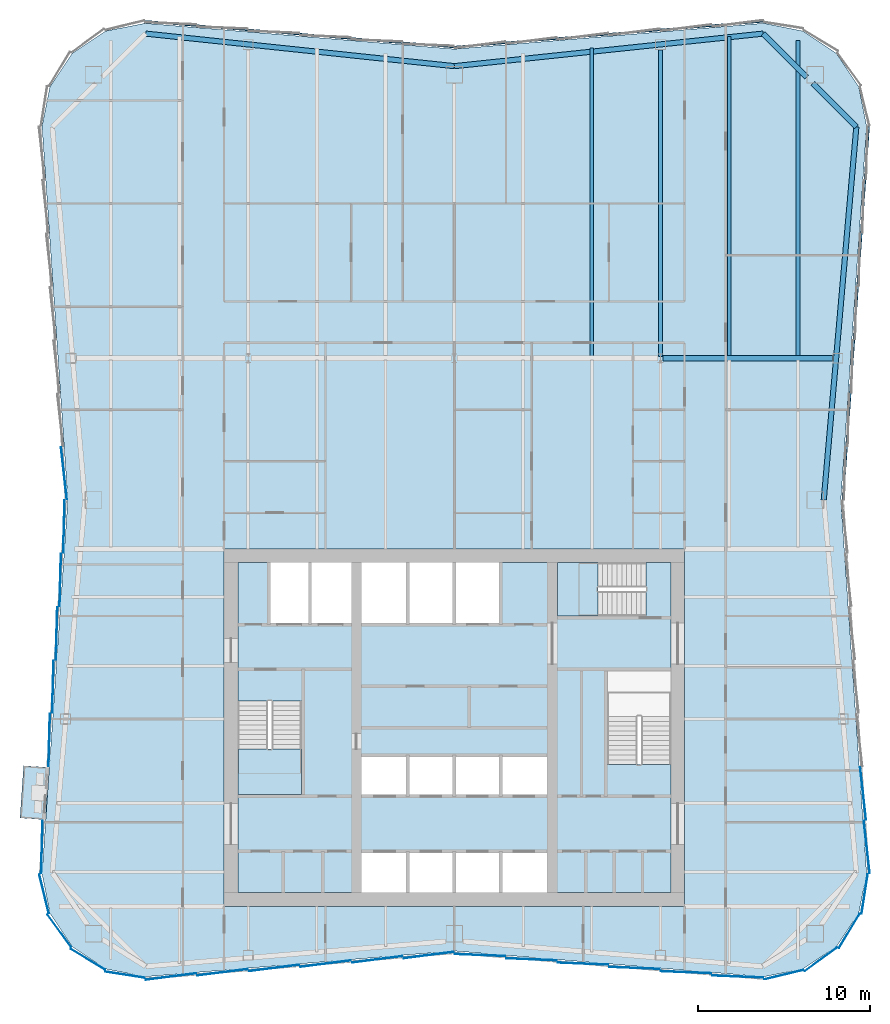
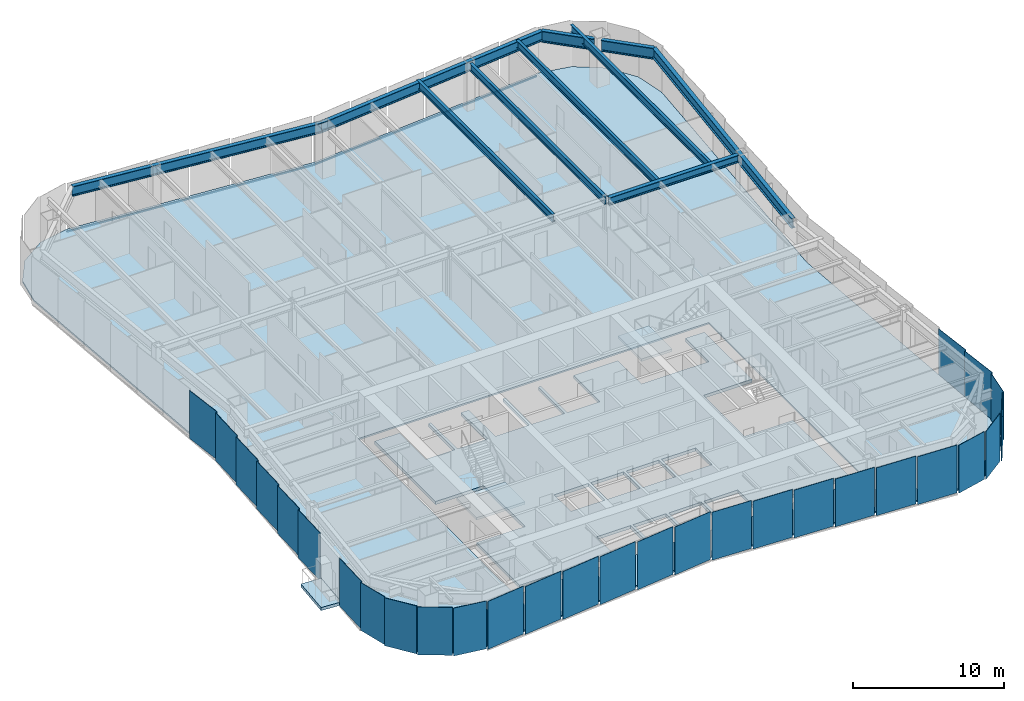
# One storey, part 4 of 12: 29 plates, 10 beams, 5 slabs, 3 members, 8 elements without a shape of their own.
"""IFC4 building model written with IfcOpenShell, lengths in metres."""

from ifc_helpers import new_model, si_unit, direction, frame, origin, origin_2d, place, context, subcontext, project, spatial, polyline, rectangle, i_section, outline, extrude, material, layer, layer_set, material_profile, profile_set, type_object, element, aggregate, save


model = new_model("IFC4")

# Units and contexts
model_context = context("Model", 3, precision=1e-05, world=origin(), true_north=direction((0.0, 1.0)))
body_context = subcontext(model_context, "Body", "Model", "MODEL_VIEW")
ifc_project = project(units=[si_unit("LENGTHUNIT", "METRE"), si_unit("AREAUNIT", "SQUARE_METRE"), si_unit("VOLUMEUNIT", "CUBIC_METRE"), si_unit("PLANEANGLEUNIT", "RADIAN"), si_unit("MASSUNIT", "GRAM", prefix="KILO")], contexts=[model_context])

# Site, building, storey
site_placement = place(None, origin())
site = spatial("IfcSite", under=ifc_project, at=site_placement, CompositionType="ELEMENT")
building_placement = place(site_placement, origin())
building = spatial("IfcBuilding", under=site, at=building_placement, Name="Verdant Reach Tower", CompositionType="ELEMENT")
storey_placement = place(building_placement, frame((0.0, 0.0, 270.0)))
storey = spatial("IfcBuildingStorey", under=building, at=storey_placement, Name="L62", CompositionType="ELEMENT", Elevation=270.0)

# Curtain wall, member
ifc_material_1 = material(Name="Anodised aluminium", Category="aluminium")
curtain_wall_type = type_object("IfcCurtainWallType", Name="EN-CW SYSTEM Z4", PredefinedType="NOTDEFINED", material=ifc_material_1)
curtain_wall_1_placement = place(storey_placement, origin())
curtain_wall_1 = element("IfcCurtainWall", 1, at=curtain_wall_1_placement, inside=storey, type_object=curtain_wall_type, Name="Curtain wall east, L62", PredefinedType="NOTDEFINED")
ifc_material_profile_1 = material_profile(ifc_material_1, rectangle(XDim=0.10009765625, YDim=0.1279296875, at=origin_2d()), Name="Transom 128x100")
ifc_profile_set_1 = profile_set([ifc_material_profile_1], Name="Anodised aluminium")
member_type = type_object("IfcMemberType", Name="EN-TRANSOM Z4", PredefinedType="USERDEFINED", material=ifc_profile_set_1)
member_1_placement = place(storey_placement, frame((22.6142578125, 41.283935546875, -0.285888671875), z_axis=(0.068770489035, 0.997632507408, 0.0), x_axis=(-0.997632507408, 0.068770489035, 0.0)))
member_1 = element("IfcMember", 2, at=member_1_placement, type_object=member_type, Name="Transom east face part 2 1.1, L62", ObjectType="TRANSOM", PredefinedType="USERDEFINED", context=body_context, shape_type="SweptSolid", body=[
    extrude(rectangle(XDim=0.10009765625, YDim=0.1279296875, at=origin_2d()), origin(), (0.0, 0.0, 1.0), 21.74072265625),
])

# Curtain wall, members
curtain_wall_2_placement = place(storey_placement, origin())
curtain_wall_2 = element("IfcCurtainWall", 3, at=curtain_wall_2_placement, inside=storey, type_object=curtain_wall_type, Name="Curtain wall north, L62", PredefinedType="NOTDEFINED")
member_2_placement = place(storey_placement, frame((17.972412109375, 69.10888671875, -0.285888671875), z_axis=(-0.996549124771, -0.083005071637, 0.0), x_axis=(0.083005071637, -0.996549124771, 0.0)))
member_2 = element("IfcMember", 4, at=member_2_placement, type_object=member_type, Name="Transom north face part 1 1.1, L62", ObjectType="TRANSOM", PredefinedType="USERDEFINED", context=body_context, shape_type="SweptSolid", body=[
    extrude(rectangle(XDim=0.10009765625, YDim=0.1279296875, at=origin_2d()), origin(), (0.0, 0.0, 1.0), 18.00048828125),
])
member_3_placement = place(storey_placement, frame((-0.033935546875, 67.61474609375, -0.285888671875), z_axis=(-0.996549124771, 0.083005071637, 0.0), x_axis=(-0.083005071637, -0.996549124771, 0.0)))
member_3 = element("IfcMember", 5, at=member_3_placement, type_object=member_type, Name="Transom north face part 2 1.1, L62", ObjectType="TRANSOM", PredefinedType="USERDEFINED", context=body_context, shape_type="SweptSolid", body=[
    extrude(rectangle(XDim=0.10009765625, YDim=0.1279296875, at=origin_2d()), origin(), (0.0, 0.0, 1.0), 18.00048828125),
])
aggregate(curtain_wall_2, [member_2, member_3])

# Beams
ifc_material_2 = material(Name="Steel S355", Category="steel")
ifc_material_profile_2 = material_profile(ifc_material_2, i_section(OverallWidth=0.300048828125, OverallDepth=0.60009765625, WebThickness=0.015380859375, FlangeThickness=0.030029296875, FilletRadius=0.027099609375, at=origin_2d()), Name="HEB 600")
ifc_profile_set_2 = profile_set([ifc_material_profile_2], Name="Steel S355")
beam_type_1 = type_object("IfcBeamType", Name="ST-BEAM-HEB600", PredefinedType="BEAM", material=ifc_profile_set_2)
beam_1_placement = place(storey_placement, frame((12.153076171875, 49.5, 3.570068359375), z_axis=(1.0, 0.0, 0.0), x_axis=(0.0, 1.0, 0.0)))
element("IfcBeam", 6, at=beam_1_placement, inside=storey, type_object=beam_type_1, Name="Row girder, L62", PredefinedType="BEAM", context=body_context, shape_type="SweptSolid", body=[
    extrude(i_section(OverallWidth=0.300048828125, OverallDepth=0.60009765625, WebThickness=0.015380859375, FlangeThickness=0.030029296875, FilletRadius=0.027099609375, at=origin_2d()), origin(), (0.0, 0.0, 1.0), 9.865966796875),
])
ifc_material_profile_3 = material_profile(ifc_material_2, i_section(OverallWidth=0.219970703125, OverallDepth=0.60009765625, WebThickness=0.011962890625, FlangeThickness=0.01904296875, FilletRadius=0.02392578125, at=origin_2d()), Name="IPE 600")
ifc_profile_set_3 = profile_set([ifc_material_profile_3], Name="Steel S355")
beam_type_2 = type_object("IfcBeamType", Name="ST-JOIST-IPE600", PredefinedType="JOIST", material=ifc_profile_set_3)
beam_2_placement = place(storey_placement, frame((8.0, 49.60009765625, 3.570068359375), z_axis=(0.0, 1.0, 0.0), x_axis=(-1.0, 0.0, 0.0)))
element("IfcBeam", 7, at=beam_2_placement, inside=storey, type_object=beam_type_2, Name="Floor joist, L62", PredefinedType="JOIST", context=body_context, shape_type="SweptSolid", body=[
    extrude(i_section(OverallWidth=0.219970703125, OverallDepth=0.60009765625, WebThickness=0.011962890625, FlangeThickness=0.01904296875, FilletRadius=0.02392578125, at=origin_2d()), origin(), (0.0, 0.0, 1.0), 17.964599609375),
])
beam_3_placement = place(storey_placement, frame((12.0, 49.60009765625, 3.570068359375), z_axis=(0.0, 1.0, 0.0), x_axis=(-1.0, 0.0, 0.0)))
element("IfcBeam", 8, at=beam_3_placement, inside=storey, type_object=beam_type_2, Name="Floor joist, L62", PredefinedType="JOIST", context=body_context, shape_type="SweptSolid", body=[
    extrude(i_section(OverallWidth=0.219970703125, OverallDepth=0.60009765625, WebThickness=0.011962890625, FlangeThickness=0.01904296875, FilletRadius=0.02392578125, at=origin_2d()), origin(), (0.0, 0.0, 1.0), 17.849853515625),
])
beam_4_placement = place(storey_placement, frame((16.0, 49.60009765625, 3.570068359375), z_axis=(0.0, 1.0, 0.0), x_axis=(-1.0, 0.0, 0.0)))
element("IfcBeam", 9, at=beam_4_placement, inside=storey, type_object=beam_type_2, Name="Floor joist, L62", PredefinedType="JOIST", context=body_context, shape_type="SweptSolid", body=[
    extrude(i_section(OverallWidth=0.219970703125, OverallDepth=0.60009765625, WebThickness=0.011962890625, FlangeThickness=0.01904296875, FilletRadius=0.02392578125, at=origin_2d()), origin(), (0.0, 0.0, 1.0), 18.631103515625),
])
beam_5_placement = place(storey_placement, frame((20.0, 49.60009765625, 3.570068359375), z_axis=(0.0, 1.0, 0.0), x_axis=(-1.0, 0.0, 0.0)))
element("IfcBeam", 10, at=beam_5_placement, inside=storey, type_object=beam_type_2, Name="Floor joist, L62", PredefinedType="JOIST", context=body_context, shape_type="SweptSolid", body=[
    extrude(i_section(OverallWidth=0.219970703125, OverallDepth=0.60009765625, WebThickness=0.011962890625, FlangeThickness=0.01904296875, FilletRadius=0.02392578125, at=origin_2d()), origin(), (0.0, 0.0, 1.0), 18.390380859375),
])
ifc_material_profile_4 = material_profile(ifc_material_2, i_section(OverallWidth=0.300048828125, OverallDepth=0.800048828125, WebThickness=0.017578125, FlangeThickness=0.032958984375, FilletRadius=0.030029296875, at=origin_2d()), Name="HEB 800")
ifc_profile_set_4 = profile_set([ifc_material_profile_4], Name="Steel S355")
beam_type_3 = type_object("IfcBeamType", Name="ST-SPANDREL-HEB800", PredefinedType="SPANDREL", material=ifc_profile_set_4)
for number, where, z_axis, x_axis, name in (
    (11, (-17.9658203125, 68.39501953125, 3.469970703125), (0.994483067002, -0.104897232783, 0.0), (0.104897232783, 0.994483067002, 0.0), "Edge beam, L62"),
    (12, (0.0, 66.5, 3.469970703125), (0.994483067002, 0.104897232783, 0.0), (-0.104897232783, 0.994483067002, 0.0), "Edge beam, L62"),
):
    element("IfcBeam", number, at=place(storey_placement, frame(where, z_axis=z_axis, x_axis=x_axis)), inside=storey, type_object=beam_type_3, Name=name, PredefinedType="SPANDREL", context=body_context, shape_type="SweptSolid", body=[
        extrude(i_section(OverallWidth=0.300048828125, OverallDepth=0.800048828125, WebThickness=0.017578125, FlangeThickness=0.032958984375, FilletRadius=0.030029296875, at=origin_2d()), origin(), (0.0, 0.0, 1.0), 18.0654296875),
    ])
beam_6_placement = place(storey_placement, frame((23.39599609375, 62.96142578125, 3.469970703125), z_axis=(-0.086996024331, -0.996208658741, 0.0), x_axis=(0.996208658741, -0.086996024331, 0.0)))
element("IfcBeam", 13, at=beam_6_placement, inside=storey, type_object=beam_type_3, Name="Edge beam, L62", PredefinedType="SPANDREL", context=body_context, shape_type="SweptSolid", body=[
    extrude(i_section(OverallWidth=0.300048828125, OverallDepth=0.800048828125, WebThickness=0.017578125, FlangeThickness=0.032958984375, FilletRadius=0.030029296875, at=origin_2d()), origin(), (0.0, 0.0, 1.0), 21.7939453125),
])
ifc_material_profile_5 = material_profile(ifc_material_2, i_section(OverallWidth=0.302001953125, OverallDepth=0.909912109375, WebThickness=0.02099609375, FlangeThickness=0.0400390625, FilletRadius=0.030029296875, at=origin_2d()), Name="HEM 900")
ifc_profile_set_5 = profile_set([ifc_material_profile_5], Name="Steel S355")
beam_type_4 = type_object("IfcBeamType", Name="ST-SPANDREL-HEM900", PredefinedType="SPANDREL", material=ifc_profile_set_5)
beam_7_placement = place(storey_placement, frame((17.9658203125, 68.39501953125, 3.4150390625), z_axis=(0.706868394255, -0.707345087777, 0.0), x_axis=(0.707345087777, 0.706868394255, 0.0)))
element("IfcBeam", 14, at=beam_7_placement, inside=storey, type_object=beam_type_4, Name="Edge beam, L62", PredefinedType="SPANDREL", context=body_context, shape_type="SweptSolid", body=[
    extrude(i_section(OverallWidth=0.302001953125, OverallDepth=0.909912109375, WebThickness=0.02099609375, FlangeThickness=0.0400390625, FilletRadius=0.030029296875, at=origin_2d()), origin(), (0.0, 0.0, 1.0), 3.5849609375),
])
beam_8_placement = place(storey_placement, frame((20.85888671875, 65.5, 3.4150390625), z_axis=(0.706902680526, -0.707310822952, 0.0), x_axis=(0.707310822952, 0.706902680526, 0.0)))
element("IfcBeam", 15, at=beam_8_placement, inside=storey, type_object=beam_type_4, Name="Edge beam, L62", PredefinedType="SPANDREL", context=body_context, shape_type="SweptSolid", body=[
    extrude(i_section(OverallWidth=0.302001953125, OverallDepth=0.909912109375, WebThickness=0.02099609375, FlangeThickness=0.0400390625, FilletRadius=0.030029296875, at=origin_2d()), origin(), (0.0, 0.0, 1.0), 3.589111328125),
])

# Stair, slab
ifc_material_3 = material(Name="Concrete C40/50", Category="concrete")
stair_type = type_object("IfcStairType", Name="CO-STAIR", PredefinedType="HALF_TURN_STAIR", material=ifc_material_3)
stair_1_placement = place(storey_placement, origin())
stair_1 = element("IfcStair", 16, at=stair_1_placement, inside=storey, type_object=stair_type, Name="L62 Exit stair 1", PredefinedType="HALF_TURN_STAIR")
ifc_layer_1 = layer(ifc_material_3, 0.199951171875)
ifc_layer_set_1 = layer_set([ifc_layer_1], Name="CO-STAIR-LANDING")
slab_type_1 = type_object("IfcSlabType", Name="CO-STAIR-LANDING", PredefinedType="LANDING", material=ifc_layer_set_1)
slab_1_placement = place(storey_placement, frame((0.0, 0.0, 1.800048828125)))
slab_1 = element("IfcSlab", 17, at=slab_1_placement, type_object=slab_type_1, Name="ST-1 landing 1", PredefinedType="LANDING", context=body_context, shape_type="SweptSolid", body=[
    extrude(outline(polyline([(-12.60009765625, 26.75), (-12.60009765625, 24.10009765625), (-8.89990234375, 24.10009765625), (-8.89990234375, 26.75), (-12.60009765625, 26.75)])), origin(), (0.0, 0.0, 1.0), 0.199951171875),
])
aggregate(stair_1, [slab_1])

stair_2_placement = place(storey_placement, origin())
stair_2 = element("IfcStair", 18, at=stair_2_placement, inside=storey, type_object=stair_type, Name="L62 Exit stair 3", PredefinedType="HALF_TURN_STAIR")
slab_2_placement = place(storey_placement, frame((0.0, 0.0, 1.800048828125)))
slab_2 = element("IfcSlab", 19, at=slab_2_placement, type_object=slab_type_1, Name="ST-3 landing 1", PredefinedType="LANDING", context=body_context, shape_type="SweptSolid", body=[
    extrude(outline(polyline([(8.35009765625, 37.60009765625), (6.0, 37.60009765625), (6.0, 34.5), (8.35009765625, 34.5), (8.35009765625, 37.60009765625)])), origin(), (0.0, 0.0, 1.0), 0.199951171875),
])
aggregate(stair_2, [slab_2])

# Slab
ifc_material_4 = material(Name="Concrete C35/45", Category="concrete")
ifc_layer_2 = layer(ifc_material_4, 0.25)
ifc_layer_set_2 = layer_set([ifc_layer_2], Name="EN-BALCONY SLAB")
slab_type_2 = type_object("IfcSlabType", Name="EN-BALCONY SLAB", PredefinedType="FLOOR", material=ifc_layer_set_2)
slab_3_placement = place(storey_placement, frame((0.0, 0.0, -0.25)))
element("IfcSlab", 20, at=slab_3_placement, inside=storey, type_object=slab_type_2, Name="Balcony slab 1, L62", PredefinedType="FLOOR", context=body_context, shape_type="SweptSolid", body=[
    extrude(outline(polyline([(-23.57373046875, 25.680419921875), (-23.783447265625, 22.64111328125), (-25.27978515625, 22.744384765625), (-25.0703125, 25.78369140625), (-23.57373046875, 25.680419921875)])), origin(), (0.0, 0.0, 1.0), 0.25),
])

# Curtain wall, plates
curtain_wall_3_placement = place(storey_placement, origin())
curtain_wall_3 = element("IfcCurtainWall", 21, at=curtain_wall_3_placement, inside=storey, type_object=curtain_wall_type, Name="Curtain wall south-east corner, L62", PredefinedType="NOTDEFINED")
ifc_material_5 = material(Name="Tinted glass with champagne spandrel", Category="glass")
ifc_layer_3 = layer(ifc_material_5, 0.031982421875)
ifc_layer_set_3 = layer_set([ifc_layer_3], Name="EN-PANEL CHAMPAGNE")
plate_type_1 = type_object("IfcPlateType", Name="EN-PANEL CHAMPAGNE", PredefinedType="CURTAIN_PANEL", material=ifc_layer_set_3)
plate_1_placement = place(storey_placement, frame((22.984375, 16.169677734375, -0.221923828125), z_axis=(0.0, 0.0, 1.0), x_axis=(0.520291539577, 0.853988708265, 0.0)))
plate_1 = element("IfcPlate", 22, at=plate_1_placement, type_object=plate_type_1, Name="Glass panel south-east corner 3.1, L62", PredefinedType="CURTAIN_PANEL", context=body_context, shape_type="SweptSolid", body=[
    extrude(rectangle(XDim=2.32080078125, YDim=0.031982421875, at=origin_2d()), origin(), (0.0, 0.0, 1.0), 3.8720703125),
])
plate_2_placement = place(storey_placement, frame((23.87939453125, 18.326904296875, -0.221923828125), z_axis=(0.0, 0.0, 1.0), x_axis=(0.154324690427, 0.988020187003, 0.0)))
plate_2 = element("IfcPlate", 23, at=plate_2_placement, type_object=plate_type_1, Name="Glass panel south-east corner 4.1, L62", PredefinedType="CURTAIN_PANEL", context=body_context, shape_type="SweptSolid", body=[
    extrude(rectangle(XDim=2.313720703125, YDim=0.031982421875, at=origin_2d()), origin(), (0.0, 0.0, 1.0), 3.8720703125),
])

# Plate
plate_3_placement = place(storey_placement, frame((23.790283203125, 24.16845703125, -0.221923828125), z_axis=(0.0, 0.0, 1.0), x_axis=(-0.110518162674, 0.993874104562, 0.0)))
plate_3 = element("IfcPlate", 24, at=plate_3_placement, type_object=plate_type_1, Name="Glass panel east face part 1 2.1, L62", PredefinedType="CURTAIN_PANEL", context=body_context, shape_type="SweptSolid", body=[
    extrude(rectangle(XDim=3.050537109375, YDim=0.031982421875, at=origin_2d()), origin(), (0.0, 0.0, 1.0), 3.8720703125),
])

# Curtain wall, plates
curtain_wall_4_placement = place(storey_placement, origin())
curtain_wall_4 = element("IfcCurtainWall", 25, at=curtain_wall_4_placement, inside=storey, type_object=curtain_wall_type, Name="Curtain wall west, L62", PredefinedType="NOTDEFINED")
plate_4_placement = place(storey_placement, frame((-22.718994140625, 42.7998046875, -0.221923828125), z_axis=(0.0, 0.0, 1.0), x_axis=(0.110603065042, -0.993864659802, 0.0)))
plate_4 = element("IfcPlate", 26, at=plate_4_placement, type_object=plate_type_1, Name="Glass panel west face part 1 7.1, L62", PredefinedType="CURTAIN_PANEL", context=body_context, shape_type="SweptSolid", body=[
    extrude(rectangle(XDim=3.042724609375, YDim=0.031982421875, at=origin_2d()), origin(), (0.0, 0.0, 1.0), 3.8720703125),
])
plate_5_placement = place(storey_placement, frame((-22.718994140625, 39.7001953125, -0.221923828125), z_axis=(0.0, 0.0, 1.0), x_axis=(-0.027050713229, -0.999634062502, 0.0)))
plate_5 = element("IfcPlate", 27, at=plate_5_placement, type_object=plate_type_1, Name="Glass panel west face part 2 1.1, L62", PredefinedType="CURTAIN_PANEL", context=body_context, shape_type="SweptSolid", body=[
    extrude(rectangle(XDim=3.042724609375, YDim=0.031982421875, at=origin_2d()), origin(), (0.0, 0.0, 1.0), 3.8720703125),
])
plate_6_placement = place(storey_placement, frame((-24.004638671875, 21.053955078125, -0.221923828125), z_axis=(0.0, 0.0, 1.0), x_axis=(-0.026651253217, -0.999644792265, 0.0)))
plate_6 = element("IfcPlate", 28, at=plate_6_placement, type_object=plate_type_1, Name="Glass panel west face part 2 7.1, L62", PredefinedType="CURTAIN_PANEL", context=body_context, shape_type="SweptSolid", body=[
    extrude(rectangle(XDim=3.0654296875, YDim=0.031982421875, at=origin_2d()), origin(), (0.0, 0.0, 1.0), 3.8720703125),
])

curtain_wall_5_placement = place(storey_placement, origin())
curtain_wall_5 = element("IfcCurtainWall", 29, at=curtain_wall_5_placement, inside=storey, type_object=curtain_wall_type, Name="Curtain wall south, L62", PredefinedType="NOTDEFINED")
plate_7_placement = place(storey_placement, frame((-10.49072265625, 14.013427734375, -0.221923828125), z_axis=(0.0, 0.0, 1.0), x_axis=(0.992194034542, 0.124703639961, 0.0)))
plate_7 = element("IfcPlate", 30, at=plate_7_placement, type_object=plate_type_1, Name="Glass panel south face part 1 3.1, L62", PredefinedType="CURTAIN_PANEL", context=body_context, shape_type="SweptSolid", body=[
    extrude(rectangle(XDim=2.9462890625, YDim=0.031982421875, at=origin_2d()), origin(), (0.0, 0.0, 1.0), 3.8720703125),
])
plate_8_placement = place(storey_placement, frame((-7.49072265625, 14.263427734375, -0.221923828125), z_axis=(0.0, 0.0, 1.0), x_axis=(0.992194034542, 0.124703639961, 0.0)))
plate_8 = element("IfcPlate", 31, at=plate_8_placement, type_object=plate_type_1, Name="Glass panel south face part 1 4.1, L62", PredefinedType="CURTAIN_PANEL", context=body_context, shape_type="SweptSolid", body=[
    extrude(rectangle(XDim=2.9462890625, YDim=0.031982421875, at=origin_2d()), origin(), (0.0, 0.0, 1.0), 3.8720703125),
])
plate_9_placement = place(storey_placement, frame((-4.49072265625, 14.513427734375, -0.221923828125), z_axis=(0.0, 0.0, 1.0), x_axis=(0.992194034542, 0.124703639961, 0.0)))
plate_9 = element("IfcPlate", 32, at=plate_9_placement, type_object=plate_type_1, Name="Glass panel south face part 1 5.1, L62", PredefinedType="CURTAIN_PANEL", context=body_context, shape_type="SweptSolid", body=[
    extrude(rectangle(XDim=2.9462890625, YDim=0.031982421875, at=origin_2d()), origin(), (0.0, 0.0, 1.0), 3.8720703125),
])
plate_10_placement = place(storey_placement, frame((13.49072265625, 13.763427734375, -0.221923828125), z_axis=(0.0, 0.0, 1.0), x_axis=(0.999149202059, -0.041241629766, 0.0)))
plate_10 = element("IfcPlate", 33, at=plate_10_placement, type_object=plate_type_1, Name="Glass panel south face part 2 5.1, L62", PredefinedType="CURTAIN_PANEL", context=body_context, shape_type="SweptSolid", body=[
    extrude(rectangle(XDim=2.9462890625, YDim=0.031982421875, at=origin_2d()), origin(), (0.0, 0.0, 1.0), 3.8720703125),
])
plate_11_placement = place(storey_placement, frame((16.49853515625, 13.51318359375, -0.221923828125), z_axis=(0.0, 0.0, 1.0), x_axis=(0.999164016711, -0.040881141246, 0.0)))
plate_11 = element("IfcPlate", 34, at=plate_11_placement, type_object=plate_type_1, Name="Glass panel south face part 2 6.1, L62", PredefinedType="CURTAIN_PANEL", context=body_context, shape_type="SweptSolid", body=[
    extrude(rectangle(XDim=2.9619140625, YDim=0.031982421875, at=origin_2d()), origin(), (0.0, 0.0, 1.0), 3.8720703125),
])

# Plate
ifc_material_6 = material(Name="Tinted glass with copper spandrel", Category="glass")
ifc_layer_4 = layer(ifc_material_6, 0.031982421875)
ifc_layer_set_4 = layer_set([ifc_layer_4], Name="EN-PANEL COPPER")
plate_type_2 = type_object("IfcPlateType", Name="EN-PANEL COPPER", PredefinedType="CURTAIN_PANEL", material=ifc_layer_set_4)
plate_12_placement = place(storey_placement, frame((-22.93310546875, 36.596923828125, -0.221923828125), z_axis=(0.0, 0.0, 1.0), x_axis=(-0.026965318308, -0.999636369691, 0.0)))
plate_12 = element("IfcPlate", 35, at=plate_12_placement, type_object=plate_type_2, Name="Glass panel west face part 2 2.1, L62", PredefinedType="CURTAIN_PANEL", context=body_context, shape_type="SweptSolid", body=[
    extrude(rectangle(XDim=3.050537109375, YDim=0.031982421875, at=origin_2d()), origin(), (0.0, 0.0, 1.0), 3.8720703125),
])

plate_13_placement = place(storey_placement, frame((-23.1474609375, 33.48974609375, -0.221923828125), z_axis=(0.0, 0.0, 1.0), x_axis=(-0.026965318308, -0.999636369691, 0.0)))
plate_13 = element("IfcPlate", 36, at=plate_13_placement, type_object=plate_type_2, Name="Glass panel west face part 2 3.1, L62", PredefinedType="CURTAIN_PANEL", context=body_context, shape_type="SweptSolid", body=[
    extrude(rectangle(XDim=3.050537109375, YDim=0.031982421875, at=origin_2d()), origin(), (0.0, 0.0, 1.0), 3.8720703125),
])

plate_14_placement = place(storey_placement, frame((-23.36181640625, 30.3828125, -0.221923828125), z_axis=(0.0, 0.0, 1.0), x_axis=(-0.026965318308, -0.999636369691, 0.0)))
plate_14 = element("IfcPlate", 37, at=plate_14_placement, type_object=plate_type_2, Name="Glass panel west face part 2 4.1, L62", PredefinedType="CURTAIN_PANEL", context=body_context, shape_type="SweptSolid", body=[
    extrude(rectangle(XDim=3.050537109375, YDim=0.031982421875, at=origin_2d()), origin(), (0.0, 0.0, 1.0), 3.8720703125),
])

# Curtain wall, plates
curtain_wall_6_placement = place(storey_placement, origin())
curtain_wall_6 = element("IfcCurtainWall", 38, at=curtain_wall_6_placement, inside=storey, type_object=curtain_wall_type, Name="Curtain wall south-west corner, L62", PredefinedType="NOTDEFINED")
plate_15_placement = place(storey_placement, frame((-23.87939453125, 18.326904296875, -0.221923828125), z_axis=(0.0, 0.0, 1.0), x_axis=(0.236458850433, -0.971641503875, 0.0)))
plate_15 = element("IfcPlate", 39, at=plate_15_placement, type_object=plate_type_2, Name="Glass panel south-west corner 1.1, L62", PredefinedType="CURTAIN_PANEL", context=body_context, shape_type="SweptSolid", body=[
    extrude(rectangle(XDim=2.313720703125, YDim=0.031982421875, at=origin_2d()), origin(), (0.0, 0.0, 1.0), 3.8720703125),
])
plate_16_placement = place(storey_placement, frame((-22.984375, 16.169677734375, -0.221923828125), z_axis=(0.0, 0.0, 1.0), x_axis=(0.589926737254, -0.80745677573, 0.0)))
plate_16 = element("IfcPlate", 40, at=plate_16_placement, type_object=plate_type_2, Name="Glass panel south-west corner 2.1, L62", PredefinedType="CURTAIN_PANEL", context=body_context, shape_type="SweptSolid", body=[
    extrude(rectangle(XDim=2.32080078125, YDim=0.031982421875, at=origin_2d()), origin(), (0.0, 0.0, 1.0), 3.8720703125),
])

# Plate
plate_17_placement = place(storey_placement, frame((-1.495361328125, 14.76318359375, -0.221923828125), z_axis=(0.0, 0.0, 1.0), x_axis=(0.992177950603, 0.124831543836, 0.0)))
plate_17 = element("IfcPlate", 41, at=plate_17_placement, type_object=plate_type_2, Name="Glass panel south face part 1 6.1, L62", PredefinedType="CURTAIN_PANEL", context=body_context, shape_type="SweptSolid", body=[
    extrude(rectangle(XDim=2.93701171875, YDim=0.031982421875, at=origin_2d()), origin(), (0.0, 0.0, 1.0), 3.8720703125),
])

plate_18_placement = place(storey_placement, frame((1.495361328125, 14.76318359375, -0.221923828125), z_axis=(0.0, 0.0, 1.0), x_axis=(0.999143877249, -0.041370430933, 0.0)))
plate_18 = element("IfcPlate", 42, at=plate_18_placement, type_object=plate_type_2, Name="Glass panel south face part 2 1.1, L62", PredefinedType="CURTAIN_PANEL", context=body_context, shape_type="SweptSolid", body=[
    extrude(rectangle(XDim=2.93701171875, YDim=0.031982421875, at=origin_2d()), origin(), (0.0, 0.0, 1.0), 3.8720703125),
])

ifc_material_7 = material(Name="Tinted glass with dark bronze spandrel", Category="glass")
ifc_layer_5 = layer(ifc_material_7, 0.031982421875)
ifc_layer_set_5 = layer_set([ifc_layer_5], Name="EN-PANEL DARK")
plate_type_3 = type_object("IfcPlateType", Name="EN-PANEL DARK", PredefinedType="CURTAIN_PANEL", material=ifc_layer_set_5)
plate_19_placement = place(storey_placement, frame((19.172607421875, 13.62060546875, -0.221923828125), z_axis=(0.0, 0.0, 1.0), x_axis=(0.971652337104, 0.236414330786, 0.0)))
plate_19 = element("IfcPlate", 43, at=plate_19_placement, type_object=plate_type_3, Name="Glass panel south-east corner 1.1, L62", PredefinedType="CURTAIN_PANEL", context=body_context, shape_type="SweptSolid", body=[
    extrude(rectangle(XDim=2.314453125, YDim=0.031982421875, at=origin_2d()), origin(), (0.0, 0.0, 1.0), 3.8720703125),
])

plate_20_placement = place(storey_placement, frame((21.330322265625, 14.515625, -0.221923828125), z_axis=(0.0, 0.0, 1.0), x_axis=(0.80745677573, 0.589926737254, 0.0)))
plate_20 = element("IfcPlate", 44, at=plate_20_placement, type_object=plate_type_3, Name="Glass panel south-east corner 2.1, L62", PredefinedType="CURTAIN_PANEL", context=body_context, shape_type="SweptSolid", body=[
    extrude(rectangle(XDim=2.32080078125, YDim=0.031982421875, at=origin_2d()), origin(), (0.0, 0.0, 1.0), 3.8720703125),
])

aggregate(curtain_wall_3, [plate_19, plate_20, plate_1, plate_2])

plate_21_placement = place(storey_placement, frame((24.004638671875, 21.053955078125, -0.221923828125), z_axis=(0.0, 0.0, 1.0), x_axis=(-0.110205903836, 0.993908777886, 0.0)))
plate_21 = element("IfcPlate", 45, at=plate_21_placement, type_object=plate_type_3, Name="Glass panel east face part 1 1.1, L62", PredefinedType="CURTAIN_PANEL", context=body_context, shape_type="SweptSolid", body=[
    extrude(rectangle(XDim=3.0654296875, YDim=0.031982421875, at=origin_2d()), origin(), (0.0, 0.0, 1.0), 3.8720703125),
])

aggregate(curtain_wall_1, [plate_21, plate_3, member_1])

plate_22_placement = place(storey_placement, frame((-23.575927734375, 27.275634765625, -0.221923828125), z_axis=(0.0, 0.0, 1.0), x_axis=(-0.026965318308, -0.999636369691, 0.0)))
plate_22 = element("IfcPlate", 46, at=plate_22_placement, type_object=plate_type_3, Name="Glass panel west face part 2 5.1, L62", PredefinedType="CURTAIN_PANEL", context=body_context, shape_type="SweptSolid", body=[
    extrude(rectangle(XDim=3.050537109375, YDim=0.031982421875, at=origin_2d()), origin(), (0.0, 0.0, 1.0), 3.8720703125),
])

aggregate(curtain_wall_4, [plate_4, plate_5, plate_12, plate_13, plate_14, plate_22, plate_6])

plate_23_placement = place(storey_placement, frame((-21.330322265625, 14.515625, -0.221923828125), z_axis=(0.0, 0.0, 1.0), x_axis=(0.853988708265, -0.520291539577, 0.0)))
plate_23 = element("IfcPlate", 47, at=plate_23_placement, type_object=plate_type_3, Name="Glass panel south-west corner 3.1, L62", PredefinedType="CURTAIN_PANEL", context=body_context, shape_type="SweptSolid", body=[
    extrude(rectangle(XDim=2.32080078125, YDim=0.031982421875, at=origin_2d()), origin(), (0.0, 0.0, 1.0), 3.8720703125),
])

plate_24_placement = place(storey_placement, frame((-19.172607421875, 13.62060546875, -0.221923828125), z_axis=(0.0, 0.0, 1.0), x_axis=(0.98802725693, -0.154279420415, 0.0)))
plate_24 = element("IfcPlate", 48, at=plate_24_placement, type_object=plate_type_3, Name="Glass panel south-west corner 4.1, L62", PredefinedType="CURTAIN_PANEL", context=body_context, shape_type="SweptSolid", body=[
    extrude(rectangle(XDim=2.314453125, YDim=0.031982421875, at=origin_2d()), origin(), (0.0, 0.0, 1.0), 3.8720703125),
])

aggregate(curtain_wall_6, [plate_15, plate_16, plate_23, plate_24])

plate_25_placement = place(storey_placement, frame((-16.49853515625, 13.51318359375, -0.221923828125), z_axis=(0.0, 0.0, 1.0), x_axis=(0.992238962139, 0.124345655383, 0.0)))
plate_25 = element("IfcPlate", 49, at=plate_25_placement, type_object=plate_type_3, Name="Glass panel south face part 1 1.1, L62", PredefinedType="CURTAIN_PANEL", context=body_context, shape_type="SweptSolid", body=[
    extrude(rectangle(XDim=2.9619140625, YDim=0.031982421875, at=origin_2d()), origin(), (0.0, 0.0, 1.0), 3.8720703125),
])

plate_26_placement = place(storey_placement, frame((-13.49072265625, 13.763427734375, -0.221923828125), z_axis=(0.0, 0.0, 1.0), x_axis=(0.992194034542, 0.124703639961, 0.0)))
plate_26 = element("IfcPlate", 50, at=plate_26_placement, type_object=plate_type_3, Name="Glass panel south face part 1 2.1, L62", PredefinedType="CURTAIN_PANEL", context=body_context, shape_type="SweptSolid", body=[
    extrude(rectangle(XDim=2.9462890625, YDim=0.031982421875, at=origin_2d()), origin(), (0.0, 0.0, 1.0), 3.8720703125),
])

plate_27_placement = place(storey_placement, frame((4.49072265625, 14.513427734375, -0.221923828125), z_axis=(0.0, 0.0, 1.0), x_axis=(0.999149202059, -0.041241629766, 0.0)))
plate_27 = element("IfcPlate", 51, at=plate_27_placement, type_object=plate_type_3, Name="Glass panel south face part 2 2.1, L62", PredefinedType="CURTAIN_PANEL", context=body_context, shape_type="SweptSolid", body=[
    extrude(rectangle(XDim=2.9462890625, YDim=0.031982421875, at=origin_2d()), origin(), (0.0, 0.0, 1.0), 3.8720703125),
])

plate_28_placement = place(storey_placement, frame((7.49072265625, 14.263427734375, -0.221923828125), z_axis=(0.0, 0.0, 1.0), x_axis=(0.999149202059, -0.041241629766, 0.0)))
plate_28 = element("IfcPlate", 52, at=plate_28_placement, type_object=plate_type_3, Name="Glass panel south face part 2 3.1, L62", PredefinedType="CURTAIN_PANEL", context=body_context, shape_type="SweptSolid", body=[
    extrude(rectangle(XDim=2.9462890625, YDim=0.031982421875, at=origin_2d()), origin(), (0.0, 0.0, 1.0), 3.8720703125),
])

plate_29_placement = place(storey_placement, frame((10.49072265625, 14.013427734375, -0.221923828125), z_axis=(0.0, 0.0, 1.0), x_axis=(0.999149202059, -0.041241629766, 0.0)))
plate_29 = element("IfcPlate", 53, at=plate_29_placement, type_object=plate_type_3, Name="Glass panel south face part 2 4.1, L62", PredefinedType="CURTAIN_PANEL", context=body_context, shape_type="SweptSolid", body=[
    extrude(rectangle(XDim=2.9462890625, YDim=0.031982421875, at=origin_2d()), origin(), (0.0, 0.0, 1.0), 3.8720703125),
])

aggregate(curtain_wall_5, [plate_25, plate_26, plate_7, plate_8, plate_9, plate_17, plate_18, plate_27, plate_28, plate_29, plate_10, plate_11])

# Slabs
ifc_material_8 = material(Name="Concrete C35/45", Category="concrete")
ifc_layer_6 = layer(ifc_material_8, 0.1298828125)
ifc_layer_set_6 = layer_set([ifc_layer_6], Name="ST-SLAB-130")
slab_type_3 = type_object("IfcSlabType", Name="ST-SLAB-130", PredefinedType="FLOOR", material=ifc_layer_set_6)
slab_4_placement = place(storey_placement, frame((0.0, 0.0, -0.1298828125)))
element("IfcSlab", 54, at=slab_4_placement, inside=storey, type_object=slab_type_3, Name="Floor slab L62", PredefinedType="FLOOR", context=body_context, shape_type="SweptSolid", body=[
    extrude(outline(polyline([(0.0, 15.0), (-18.0, 13.5), (-20.296142578125, 13.956787109375), (-22.24267578125, 15.25732421875), (-23.543212890625, 17.203857421875), (-24.0, 19.5), (-22.5, 41.25), (-24.0, 63.0), (-23.543212890625, 65.296142578125), (-22.24267578125, 67.24267578125), (-20.296142578125, 68.543212890625), (-18.0, 69.0), (0.0, 67.5), (18.0, 69.0), (20.296142578125, 68.543212890625), (22.24267578125, 67.24267578125), (23.543212890625, 65.296142578125), (24.0, 63.0), (22.5, 41.25), (24.0, 19.5), (23.543212890625, 17.203857421875), (22.24267578125, 15.25732421875), (20.296142578125, 13.956787109375), (18.0, 13.5), (0.0, 15.0)]), holes=[polyline([(13.39990234375, 38.39990234375), (-13.39990234375, 38.39990234375), (-13.39990234375, 17.60009765625), (13.39990234375, 17.60009765625), (13.39990234375, 38.39990234375)])]), origin(), (0.0, 0.0, 1.0), 0.1298828125),
])
ifc_layer_7 = layer(ifc_material_8, 0.25)
ifc_layer_set_7 = layer_set([ifc_layer_7], Name="ST-SLAB-250")
slab_type_4 = type_object("IfcSlabType", Name="ST-SLAB-250", PredefinedType="FLOOR", material=ifc_layer_set_7)
slab_5_placement = place(storey_placement, frame((0.0, 0.0, -0.25)))
element("IfcSlab", 55, at=slab_5_placement, inside=storey, type_object=slab_type_4, Name="Core floor slab L62", PredefinedType="FLOOR", context=body_context, shape_type="SweptSolid", body=[
    extrude(outline(polyline([(12.60009765625, 18.39990234375), (5.39990234375, 18.39990234375), (5.39990234375, 20.699951171875), (2.800048828125, 20.699951171875), (2.800048828125, 18.39990234375), (2.60009765625, 18.39990234375), (2.60009765625, 20.699951171875), (0.10009765625, 20.699951171875), (0.10009765625, 18.39990234375), (-0.10009765625, 18.39990234375), (-0.10009765625, 20.699951171875), (-2.60009765625, 20.699951171875), (-2.60009765625, 18.39990234375), (-2.800048828125, 18.39990234375), (-2.800048828125, 20.699951171875), (-5.39990234375, 20.699951171875), (-5.39990234375, 18.39990234375), (-12.60009765625, 18.39990234375), (-12.60009765625, 24.10009765625), (-8.89990234375, 24.10009765625), (-8.89990234375, 29.548095703125), (-12.60009765625, 29.548095703125), (-12.60009765625, 37.60009765625), (-10.699951171875, 37.60009765625), (-10.699951171875, 34.10009765625), (-8.5, 34.10009765625), (-8.5, 37.60009765625), (-8.300048828125, 37.60009765625), (-8.300048828125, 34.10009765625), (-6.0, 34.10009765625), (-6.0, 37.60009765625), (-5.39990234375, 37.60009765625), (-5.39990234375, 34.10009765625), (-2.800048828125, 34.10009765625), (-2.800048828125, 37.60009765625), (-2.60009765625, 37.60009765625), (-2.60009765625, 34.10009765625), (-0.10009765625, 34.10009765625), (-0.10009765625, 37.60009765625), (0.10009765625, 37.60009765625), (0.10009765625, 34.10009765625), (2.60009765625, 34.10009765625), (2.60009765625, 37.60009765625), (6.0, 37.60009765625), (6.0, 34.5), (11.14794921875, 34.5), (11.14794921875, 37.60009765625), (12.60009765625, 37.60009765625), (12.60009765625, 31.300048828125), (8.89990234375, 31.300048828125), (8.89990234375, 25.85205078125), (12.60009765625, 25.85205078125), (12.60009765625, 18.39990234375)]), holes=[polyline([(-2.800048828125, 24.10009765625), (-2.800048828125, 26.300048828125), (-5.39990234375, 26.300048828125), (-5.39990234375, 24.10009765625), (-2.800048828125, 24.10009765625)]), polyline([(-0.10009765625, 24.10009765625), (-0.10009765625, 26.300048828125), (-2.60009765625, 26.300048828125), (-2.60009765625, 24.10009765625), (-0.10009765625, 24.10009765625)]), polyline([(2.60009765625, 24.10009765625), (2.60009765625, 26.300048828125), (0.10009765625, 26.300048828125), (0.10009765625, 24.10009765625), (2.60009765625, 24.10009765625)]), polyline([(5.39990234375, 24.10009765625), (5.39990234375, 26.300048828125), (2.800048828125, 26.300048828125), (2.800048828125, 24.10009765625), (5.39990234375, 24.10009765625)])]), origin(), (0.0, 0.0, 1.0), 0.25),
])

save(model, "model.ifc")
